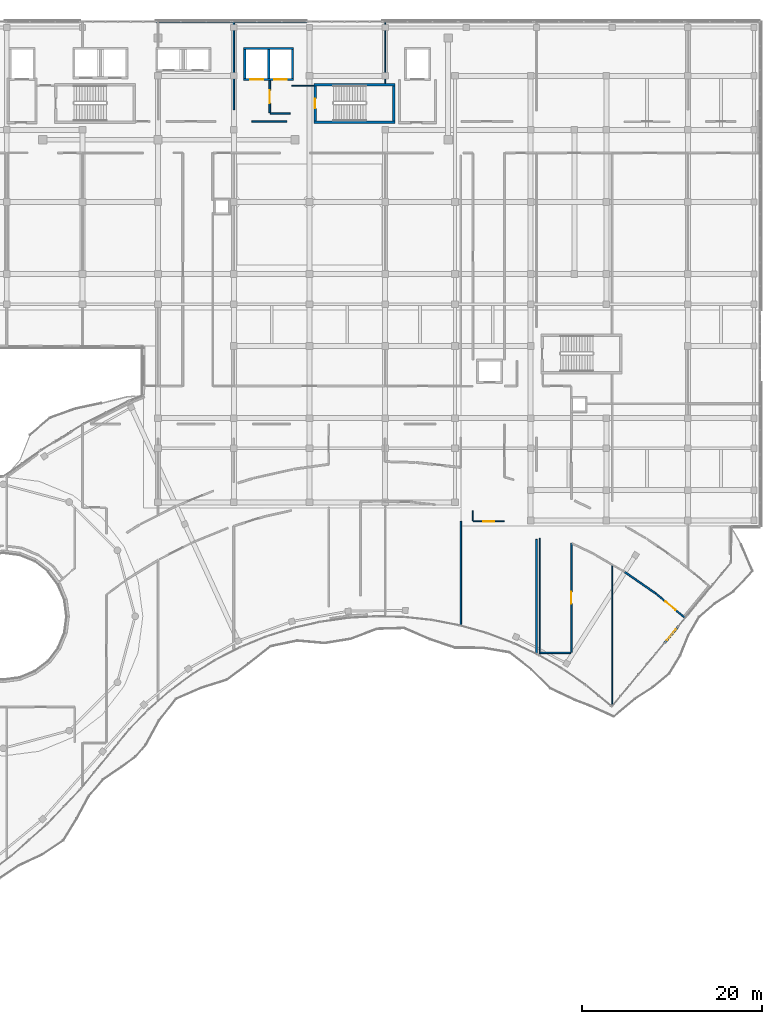
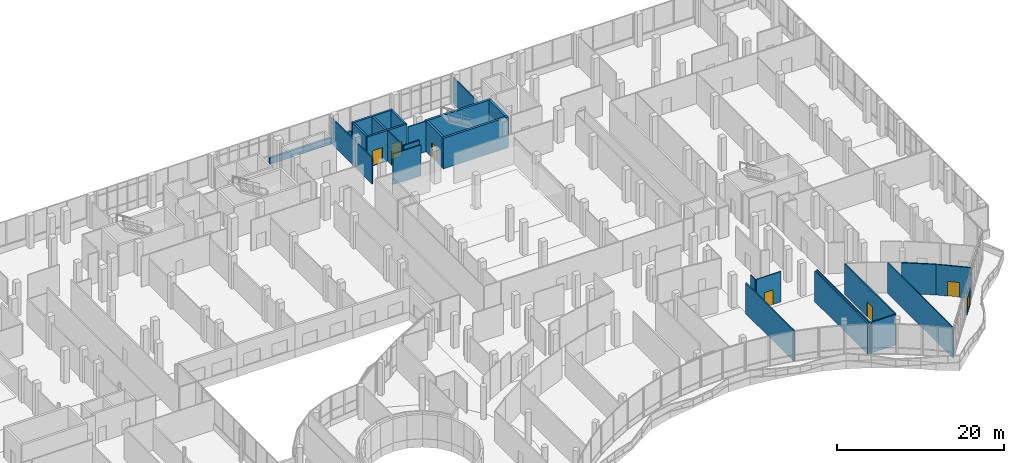
# One storey, part 139 of 155: 28 walls, 8 doors, 8 openings.
"""IFC4 building model written with IfcOpenShell, lengths in metres."""

from ifc_helpers import new_model, si_unit, direction, frame, frame_2d, origin, place, context, subcontext, project, spatial, rectangle, extrude, material, layer, layer_set, type_object, element, fill, save


model = new_model("IFC4")

# Units and contexts
model_context = context("Model", 3, precision=1e-05, world=origin(), true_north=direction((0.0, 1.0)))
body_context = subcontext(model_context, "Body", "Model", "MODEL_VIEW")
ifc_project = project(units=[si_unit("LENGTHUNIT", "METRE"), si_unit("AREAUNIT", "SQUARE_METRE"), si_unit("VOLUMEUNIT", "CUBIC_METRE"), si_unit("PLANEANGLEUNIT", "RADIAN"), si_unit("MASSUNIT", "GRAM", prefix="KILO")], contexts=[model_context])

# Site, building, storey
site_placement = place(None, origin())
site = spatial("IfcSite", under=ifc_project, at=site_placement, CompositionType="ELEMENT")
building_placement = place(site_placement, origin())
building = spatial("IfcBuilding", under=site, at=building_placement, Name="Selatvlak General Hospital", CompositionType="ELEMENT")
storey_placement = place(building_placement, frame((0.0, 0.0, 10.199951171875)))
storey = spatial("IfcBuildingStorey", under=building, at=storey_placement, Name="L02", CompositionType="ELEMENT", Elevation=10.199951171875)

# Walls
ifc_material_1 = material(Name="Precast concrete C40/50 - white Bauhaus spandrel", Category="concrete")
ifc_layer_1 = layer(ifc_material_1, 0.280029296875, Name="Precast concrete C40/50 - white Bauhaus spandrel", Category="concrete")
ifc_layer_set_1 = layer_set([ifc_layer_1], Name="Precast concrete C40/50 - white Bauhaus spandrel")
wall_type_1 = type_object("IfcWallType", Name="WALL-EW-02", PredefinedType="SOLIDWALL", material=ifc_layer_set_1)
for number, where, z_axis, x_axis, name in (
    (1, (114.9609375, 120.0, 0.0), (0.0, 0.0, 1.0), (1.0, 0.0, 0.0), "L02 Bauhaus spandrel sill wall 0300"),
    (2, (123.341064453125, 120.0, 0.0), (0.0, 0.0, 1.0), (1.0, 0.0, 0.0), "L02 Bauhaus spandrel sill wall 0301"),
):
    element("IfcWall", number, at=place(storey_placement, frame(where, z_axis=z_axis, x_axis=x_axis)), inside=storey, type_object=wall_type_1, Name=name, PredefinedType="SOLIDWALL", context=body_context, shape_type="SweptSolid", body=[
        extrude(rectangle(XDim=8.3759765625, YDim=0.280029296875, at=frame_2d((4.18798828125, 0.0))), origin(), (0.0, 0.0, 1.0), 0.93994140625),
    ])

# Wall, opening, door
ifc_material_2 = material(Name="Precast concrete C40/50 - white fair-faced", Category="concrete")
ifc_layer_2 = layer(ifc_material_2, 0.239990234375, Name="Precast concrete C40/50 - white fair-faced", Category="concrete")
ifc_layer_set_2 = layer_set([ifc_layer_2], Name="Precast concrete C40/50 - white fair-faced")
wall_type_2 = type_object("IfcWallType", Name="WALL-EW-04", PredefinedType="SOLIDWALL", material=ifc_layer_set_2)
wall_1_placement = place(storey_placement, frame((172.9150390625, 52.842041015625, 0.0), z_axis=(0.0, 0.0, 1.0), x_axis=(-0.637926137679, -0.770097554123, 0.0)))
wall_1 = element("IfcWall", 3, at=wall_1_placement, inside=storey, type_object=wall_type_2, Name="L02 S-curve glazed balcony door frame 0314", PredefinedType="SOLIDWALL", context=body_context, shape_type="SweptSolid", body=[
    extrude(rectangle(XDim=2.2998046875, YDim=0.239990234375, at=frame_2d((1.14990234375, 0.0))), origin(), (0.0, 0.0, 1.0), 2.320068359375),
])
opening_1_placement = place(wall_1_placement, frame((0.35009765625, 0.0, 0.0)))
opening_1 = element("IfcOpeningElement", 4, at=opening_1_placement, cuts=wall_1, Name="Opening DE-05", PredefinedType="OPENING", context=body_context, shape_type="SweptSolid", body=[
    extrude(rectangle(XDim=1.60009765625, YDim=2.199951171875, at=frame_2d((0.800048828125, 1.10009765625))), frame((0.0, 0.1298828125, 0.0), z_axis=(0.0, -1.0, 0.0), x_axis=(1.0, 0.0, 0.0)), (0.0, 0.0, 1.0), 0.260009765625),
])
ifc_material_3 = material(Name="Anodised aluminium balcony double door", Category="aluminium")
door_type_1 = type_object("IfcDoorType", Name="DOOR-DE-05", OperationType="DOUBLE_DOOR_SINGLE_SWING", PredefinedType="DOOR", material=ifc_material_3)
door_1_placement = place(opening_1_placement, origin())
door_1 = element("IfcDoor", 5, at=door_1_placement, inside=storey, type_object=door_type_1, Name="L02 clinic balcony double door 24", OperationType="DOUBLE_DOOR_SINGLE_SWING", OverallHeight=2.199951171875, OverallWidth=1.60009765625, PredefinedType="DOOR", context=body_context, shape_type="SweptSolid", body=[
    extrude(rectangle(XDim=1.60009765625, YDim=2.199951171875, at=frame_2d((0.800048828125, 1.10009765625))), frame((0.0, 0.02490234375, 0.0), z_axis=(0.0, -1.0, 0.0), x_axis=(1.0, 0.0, 0.0)), (0.0, 0.0, 1.0), 0.050048828125),
])
fill(opening_1, door_1)

# Walls
ifc_material_4 = material(Name="Acoustic gypsum stud partition")
ifc_layer_3 = layer(ifc_material_4, 0.179931640625, Name="Acoustic gypsum stud partition")
ifc_layer_set_3 = layer_set([ifc_layer_3], Name="Acoustic gypsum stud partition")
wall_type_3 = type_object("IfcWallType", Name="WALL-PT-01", PredefinedType="PARTITIONING", material=ifc_layer_set_3)
wall_2_placement = place(storey_placement, frame((148.800048828125, 64.5380859375, 0.0), z_axis=(0.0, 0.0, 1.0), x_axis=(0.0, -1.0, 0.0)))
element("IfcWall", 6, at=wall_2_placement, inside=storey, type_object=wall_type_3, Name="L02 clinical partition PT-L02-1212", PredefinedType="PARTITIONING", context=body_context, shape_type="SweptSolid", body=[
    extrude(rectangle(XDim=11.5771484375, YDim=0.179931640625, at=frame_2d((5.78857421875, 0.0))), origin(), (0.0, 0.0, 1.0), 4.4599609375),
])
wall_3_placement = place(storey_placement, frame((157.199951171875, 62.5380859375, 0.0), z_axis=(0.0, 0.0, 1.0), x_axis=(0.0, -1.0, 0.0)))
element("IfcWall", 7, at=wall_3_placement, inside=storey, type_object=wall_type_3, Name="L02 clinical partition PT-L02-1220", PredefinedType="PARTITIONING", context=body_context, shape_type="SweptSolid", body=[
    extrude(rectangle(XDim=12.715087890625, YDim=0.179931640625, at=frame_2d((6.357421875, 0.0))), origin(), (0.0, 0.0, 1.0), 4.4599609375),
])
wall_4_placement = place(storey_placement, frame((157.595947265625, 49.93994140625, 0.0), z_axis=(0.0, 0.0, 1.0), x_axis=(1.0, 0.0, 0.0)))
element("IfcWall", 8, at=wall_4_placement, inside=storey, type_object=wall_type_3, Name="L02 clinical partition PT-L02-1225", PredefinedType="PARTITIONING", context=body_context, shape_type="SweptSolid", body=[
    extrude(rectangle(XDim=3.404052734375, YDim=0.179931640625, at=frame_2d((1.7021484375, 0.0))), origin(), (0.0, 0.0, 1.0), 4.4599609375),
])
wall_5_placement = place(storey_placement, frame((167.010009765625, 58.91796875, 0.0), z_axis=(0.0, 0.0, 1.0), x_axis=(0.820562806153, -0.571556367437, 0.0)))
element("IfcWall", 9, at=wall_5_placement, inside=storey, type_object=wall_type_3, Name="L02 clinical partition PT-L02-1235", PredefinedType="PARTITIONING", context=body_context, shape_type="SweptSolid", body=[
    extrude(rectangle(XDim=4.1728515625, YDim=0.179931640625, at=frame_2d((2.08642578125, 0.0))), origin(), (0.0, 0.0, 1.0), 4.4599609375),
])

# Wall, opening, door
wall_6_placement = place(storey_placement, frame((127.590087890625, 113.452880859375, 0.0), z_axis=(0.0, 0.0, 1.0), x_axis=(0.0, -1.0, 0.0)))
wall_6 = element("IfcWall", 10, at=wall_6_placement, inside=storey, type_object=wall_type_3, Name="L02 clinical partition PT-L02-1355", PredefinedType="PARTITIONING", context=body_context, shape_type="SweptSolid", body=[
    extrude(rectangle(XDim=3.552978515625, YDim=0.179931640625, at=frame_2d((1.7763671875, 0.0))), origin(), (0.0, 0.0, 1.0), 4.4599609375),
])
opening_2_placement = place(wall_6_placement, frame((1.051025390625, 0.0, 0.0)))
opening_2 = element("IfcOpeningElement", 11, at=opening_2_placement, cuts=wall_6, Name="Opening D-12", PredefinedType="OPENING", context=body_context, shape_type="SweptSolid", body=[
    extrude(rectangle(XDim=1.449951171875, YDim=2.14990234375, at=frame_2d((0.72509765625, 1.074951171875))), frame((0.0, 0.099853515625, 0.0), z_axis=(0.0, -1.0, 0.0), x_axis=(1.0, 0.0, 0.0)), (0.0, 0.0, 1.0), 0.199951171875),
])
ifc_material_5 = material(Name="Isolation anteroom door")
door_type_2 = type_object("IfcDoorType", Name="DOOR-D-12", OperationType="NOTDEFINED", PredefinedType="DOOR", material=ifc_material_5)
door_2_placement = place(opening_2_placement, origin())
door_2 = element("IfcDoor", 12, at=door_2_placement, inside=storey, type_object=door_type_2, Name="L02 Cardiac Catheterisation Lab 73 door", OperationType="SINGLE_SWING_LEFT", OverallHeight=2.14990234375, OverallWidth=1.449951171875, PredefinedType="DOOR", context=body_context, shape_type="SweptSolid", body=[
    extrude(rectangle(XDim=1.449951171875, YDim=2.14990234375, at=frame_2d((0.72509765625, 1.074951171875))), frame((0.0, 0.02490234375, 0.0), z_axis=(0.0, -1.0, 0.0), x_axis=(1.0, 0.0, 0.0)), (0.0, 0.0, 1.0), 0.050048828125),
])
fill(opening_2, door_2)

ifc_layer_4 = layer(ifc_material_4, 0.1650390625, Name="Acoustic gypsum stud partition")
ifc_layer_set_4 = layer_set([ifc_layer_4], Name="Acoustic gypsum stud partition")
wall_type_4 = type_object("IfcWallType", Name="WALL-PT-02", PredefinedType="PARTITIONING", material=ifc_layer_set_4)
wall_7_placement = place(storey_placement, frame((161.06005859375, 50.0, 0.0), z_axis=(0.0, 0.0, 1.0), x_axis=(0.0, 1.0, 0.0)))
wall_7 = element("IfcWall", 13, at=wall_7_placement, inside=storey, type_object=wall_type_4, Name="L02 clinical partition PT-L02-1226", PredefinedType="PARTITIONING", context=body_context, shape_type="SweptSolid", body=[
    extrude(rectangle(XDim=12.12109375, YDim=0.1650390625, at=frame_2d((6.060546875, 0.0))), origin(), (0.0, 0.0, 1.0), 4.4599609375),
])
opening_3_placement = place(wall_7_placement, frame((5.385986328125, 0.0, 0.0)))
opening_3 = element("IfcOpeningElement", 14, at=opening_3_placement, cuts=wall_7, Name="Opening D-10", PredefinedType="OPENING", context=body_context, shape_type="SweptSolid", body=[
    extrude(rectangle(XDim=1.35009765625, YDim=2.14990234375, at=frame_2d((0.675048828125, 1.074951171875))), frame((0.0, 0.092529296875, 0.0), z_axis=(0.0, -1.0, 0.0), x_axis=(1.0, 0.0, 0.0)), (0.0, 0.0, 1.0), 0.18505859375),
])
ifc_material_6 = material(Name="Single patient bed door")
door_type_3 = type_object("IfcDoorType", Name="DOOR-D-10", OperationType="NOTDEFINED", PredefinedType="DOOR", material=ifc_material_6)
door_3_placement = place(opening_3_placement, origin())
door_3 = element("IfcDoor", 15, at=door_3_placement, inside=storey, type_object=door_type_3, Name="L02 Sports Medicine Clinic 36 door", OperationType="SINGLE_SWING_LEFT", OverallHeight=2.14990234375, OverallWidth=1.35009765625, PredefinedType="DOOR", context=body_context, shape_type="SweptSolid", body=[
    extrude(rectangle(XDim=1.35009765625, YDim=2.14990234375, at=frame_2d((0.675048828125, 1.074951171875))), frame((0.0, 0.02490234375, 0.0), z_axis=(0.0, -1.0, 0.0), x_axis=(1.0, 0.0, 0.0)), (0.0, 0.0, 1.0), 0.050048828125),
])
fill(opening_3, door_3)

wall_8_placement = place(storey_placement, frame((170.43408203125, 56.532958984375, 0.0), z_axis=(0.0, 0.0, 1.0), x_axis=(0.770184287696, -0.637821419353, 0.0)))
wall_8 = element("IfcWall", 16, at=wall_8_placement, inside=storey, type_object=wall_type_4, Name="L02 clinical partition PT-L02-1236", PredefinedType="PARTITIONING", context=body_context, shape_type="SweptSolid", body=[
    extrude(rectangle(XDim=4.25341796875, YDim=0.1650390625, at=frame_2d((2.126708984375, 0.0))), origin(), (0.0, 0.0, 1.0), 4.4599609375),
])
opening_4_placement = place(wall_8_placement, frame((1.402099609375, 0.0, 0.0)))
opening_4 = element("IfcOpeningElement", 17, at=opening_4_placement, cuts=wall_8, Name="Opening D-12", PredefinedType="OPENING", context=body_context, shape_type="SweptSolid", body=[
    extrude(rectangle(XDim=1.449951171875, YDim=2.14990234375, at=frame_2d((0.72509765625, 1.074951171875))), frame((0.0, 0.092529296875, 0.0), z_axis=(0.0, -1.0, 0.0), x_axis=(1.0, 0.0, 0.0)), (0.0, 0.0, 1.0), 0.18505859375),
])
door_4_placement = place(opening_4_placement, origin())
door_4 = element("IfcDoor", 18, at=door_4_placement, inside=storey, type_object=door_type_2, Name="L02 Occupational Therapy Suite 38 door", OperationType="SINGLE_SWING_LEFT", OverallHeight=2.14990234375, OverallWidth=1.449951171875, PredefinedType="DOOR", context=body_context, shape_type="SweptSolid", body=[
    extrude(rectangle(XDim=1.449951171875, YDim=2.14990234375, at=frame_2d((0.72509765625, 1.074951171875))), frame((0.0, 0.02490234375, 0.0), z_axis=(0.0, -1.0, 0.0), x_axis=(1.0, 0.0, 0.0)), (0.0, 0.0, 1.0), 0.050048828125),
])
fill(opening_4, door_4)

# Walls
wall_9_placement = place(storey_placement, frame((123.60009765625, 119.9580078125, 0.0), z_axis=(0.0, 0.0, 1.0), x_axis=(0.0, -1.0, 0.0)))
element("IfcWall", 19, at=wall_9_placement, inside=storey, type_object=wall_type_4, Name="L02 clinical partition PT-L02-1351", PredefinedType="PARTITIONING", context=body_context, shape_type="SweptSolid", body=[
    extrude(rectangle(XDim=9.748046875, YDim=0.1650390625, at=frame_2d((4.8740234375, 0.0))), origin(), (0.0, 0.0, 1.0), 3.81005859375),
])
wall_10_placement = place(storey_placement, frame((127.64990234375, 109.840087890625, 0.0), z_axis=(0.0, 0.0, 1.0), x_axis=(1.0, 0.0, 0.0)))
element("IfcWall", 20, at=wall_10_placement, inside=storey, type_object=wall_type_4, Name="L02 clinical partition PT-L02-1356", PredefinedType="PARTITIONING", context=body_context, shape_type="SweptSolid", body=[
    extrude(rectangle(XDim=2.190185546875, YDim=0.1650390625, at=frame_2d((1.09521484375, 0.0))), origin(), (0.0, 0.0, 1.0), 4.4599609375),
])
ifc_layer_5 = layer(ifc_material_4, 0.14990234375, Name="Acoustic gypsum stud partition")
ifc_layer_set_5 = layer_set([ifc_layer_5], Name="Acoustic gypsum stud partition")
wall_type_5 = type_object("IfcWallType", Name="WALL-PT-03", PredefinedType="PARTITIONING", material=ifc_layer_set_5)
wall_11_placement = place(storey_placement, frame((129.487060546875, 108.909912109375, 0.0), z_axis=(0.0, 0.0, 1.0), x_axis=(-1.0, 0.0, 0.0)))
element("IfcWall", 21, at=wall_11_placement, inside=storey, type_object=wall_type_5, Name="L02 clinical partition PT-L02-1357", PredefinedType="PARTITIONING", context=body_context, shape_type="SweptSolid", body=[
    extrude(rectangle(XDim=3.8759765625, YDim=0.14990234375, at=frame_2d((1.93798828125, 0.0))), origin(), (0.0, 0.0, 1.0), 4.4599609375),
])
ifc_material_7 = material(Name="Moisture-resistant clinical partition")
ifc_layer_6 = layer(ifc_material_7, 0.135009765625, Name="Moisture-resistant clinical partition")
ifc_layer_set_6 = layer_set([ifc_layer_6], Name="Moisture-resistant clinical partition")
wall_type_6 = type_object("IfcWallType", Name="WALL-PT-04", PredefinedType="PARTITIONING", material=ifc_layer_set_6)
wall_12_placement = place(storey_placement, frame((150.139892578125, 65.695068359375, 0.0), z_axis=(0.0, 0.0, 1.0), x_axis=(0.0, -1.0, 0.0)))
element("IfcWall", 22, at=wall_12_placement, inside=storey, type_object=wall_type_6, Name="L02 clinical partition PT-L02-1218", PredefinedType="PARTITIONING", context=body_context, shape_type="SweptSolid", body=[
    extrude(rectangle(XDim=1.094970703125, YDim=0.135009765625, at=frame_2d((0.54736328125, 0.0))), origin(), (0.0, 0.0, 1.0), 4.4599609375),
])
wall_13_placement = place(storey_placement, frame((140.39990234375, 119.9580078125, 0.0), z_axis=(0.0, 0.0, 1.0), x_axis=(0.0, -1.0, 0.0)))
element("IfcWall", 23, at=wall_13_placement, inside=storey, type_object=wall_type_6, Name="L02 clinical partition PT-L02-1353", PredefinedType="PARTITIONING", context=body_context, shape_type="SweptSolid", body=[
    extrude(rectangle(XDim=6.81103515625, YDim=0.135009765625, at=frame_2d((3.405517578125, 0.0))), origin(), (0.0, 0.0, 1.0), 3.81005859375),
])

# Wall, opening, door
ifc_layer_7 = layer(ifc_material_7, 0.1201171875, Name="Moisture-resistant clinical partition")
ifc_layer_set_7 = layer_set([ifc_layer_7], Name="Moisture-resistant clinical partition")
wall_type_7 = type_object("IfcWallType", Name="WALL-PT-05", PredefinedType="PARTITIONING", material=ifc_layer_set_7)
wall_14_placement = place(storey_placement, frame((150.199951171875, 64.5400390625, 0.0), z_axis=(0.0, 0.0, 1.0), x_axis=(1.0, 0.0, 0.0)))
wall_14 = element("IfcWall", 24, at=wall_14_placement, inside=storey, type_object=wall_type_7, Name="L02 clinical partition PT-L02-1219", PredefinedType="PARTITIONING", context=body_context, shape_type="SweptSolid", body=[
    extrude(rectangle(XDim=3.400146484375, YDim=0.1201171875, at=frame_2d((1.7001953125, 0.0))), origin(), (0.0, 0.0, 1.0), 4.4599609375),
])
opening_5_placement = place(wall_14_placement, frame((1.10009765625, 0.0, 0.0)))
opening_5 = element("IfcOpeningElement", 25, at=opening_5_placement, cuts=wall_14, Name="Opening D-23", PredefinedType="OPENING", context=body_context, shape_type="SweptSolid", body=[
    extrude(rectangle(XDim=1.199951171875, YDim=2.14990234375, at=frame_2d((0.60009765625, 1.074951171875))), frame((0.0, 0.070068359375, 0.0), z_axis=(0.0, -1.0, 0.0), x_axis=(1.0, 0.0, 0.0)), (0.0, 0.0, 1.0), 0.14013671875),
])
ifc_material_8 = material(Name="Endoscopy clinical door")
door_type_4 = type_object("IfcDoorType", Name="DOOR-D-23", OperationType="NOTDEFINED", PredefinedType="DOOR", material=ifc_material_8)
door_5_placement = place(opening_5_placement, origin())
door_5 = element("IfcDoor", 26, at=door_5_placement, inside=storey, type_object=door_type_4, Name="L02 Physiotherapy Rehabilitation Gymnasium 34 door", OperationType="SINGLE_SWING_LEFT", OverallHeight=2.14990234375, OverallWidth=1.199951171875, PredefinedType="DOOR", context=body_context, shape_type="SweptSolid", body=[
    extrude(rectangle(XDim=1.199951171875, YDim=2.14990234375, at=frame_2d((0.60009765625, 1.074951171875))), frame((0.0, 0.02490234375, 0.0), z_axis=(0.0, -1.0, 0.0), x_axis=(1.0, 0.0, 0.0)), (0.0, 0.0, 1.0), 0.050048828125),
])
fill(opening_5, door_5)

# Walls
wall_15_placement = place(storey_placement, frame((157.5400390625, 62.676025390625, 0.0), z_axis=(0.0, 0.0, 1.0), x_axis=(0.0, -1.0, 0.0)))
element("IfcWall", 27, at=wall_15_placement, inside=storey, type_object=wall_type_7, Name="L02 clinical partition PT-L02-1224", PredefinedType="PARTITIONING", context=body_context, shape_type="SweptSolid", body=[
    extrude(rectangle(XDim=13.02294921875, YDim=0.1201171875, at=frame_2d((6.511474609375, 0.0))), origin(), (0.0, 0.0, 1.0), 4.4599609375),
])
wall_16_placement = place(storey_placement, frame((165.60009765625, 59.736083984375, 0.0), z_axis=(0.0, 0.0, 1.0), x_axis=(0.0, -1.0, 0.0)))
element("IfcWall", 28, at=wall_16_placement, inside=storey, type_object=wall_type_7, Name="L02 clinical partition PT-L02-1229", PredefinedType="PARTITIONING", context=body_context, shape_type="SweptSolid", body=[
    extrude(rectangle(XDim=15.710205078125, YDim=0.1201171875, at=frame_2d((7.85498046875, 0.0))), origin(), (0.0, 0.0, 1.0), 4.4599609375),
])
wall_17_placement = place(storey_placement, frame((132.489990234375, 112.89990234375, 0.0), z_axis=(0.0, 0.0, 1.0), x_axis=(-1.0, 0.0, 0.0)))
element("IfcWall", 29, at=wall_17_placement, inside=storey, type_object=wall_type_7, Name="L02 clinical partition PT-L02-1354", PredefinedType="PARTITIONING", context=body_context, shape_type="SweptSolid", body=[
    extrude(rectangle(XDim=2.47998046875, YDim=0.1201171875, at=frame_2d((1.239990234375, 0.0))), origin(), (0.0, 0.0, 1.0), 4.4599609375),
])
ifc_material_9 = material(Name="Concrete C45/55", Category="concrete")
ifc_layer_8 = layer(ifc_material_9, 0.300048828125, Name="Concrete C45/55", Category="concrete")
ifc_layer_set_8 = layer_set([ifc_layer_8], Name="Concrete C45/55")
wall_type_8 = type_object("IfcWallType", Name="WALL-SW-02", PredefinedType="SHEAR", material=ifc_layer_set_8)
wall_18_placement = place(storey_placement, frame((132.489990234375, 108.840087890625, 0.0), z_axis=(0.0, 0.0, 1.0), x_axis=(1.0, 0.0, 0.0)))
element("IfcWall", 30, at=wall_18_placement, inside=storey, type_object=wall_type_8, Name="ST-04 core shear wall L02 S", PredefinedType="SHEAR", context=body_context, shape_type="SweptSolid", body=[
    extrude(rectangle(XDim=9.02001953125, YDim=0.300048828125, at=frame_2d((4.510009765625, 0.0))), origin(), (0.0, 0.0, 1.0), 4.4599609375),
])
wall_19_placement = place(storey_placement, frame((141.360107421875, 108.989990234375, 0.0), z_axis=(0.0, 0.0, 1.0), x_axis=(0.0, 1.0, 0.0)))
element("IfcWall", 31, at=wall_19_placement, inside=storey, type_object=wall_type_8, Name="ST-04 core shear wall L02 E", PredefinedType="SHEAR", context=body_context, shape_type="SweptSolid", body=[
    extrude(rectangle(XDim=3.860107421875, YDim=0.300048828125, at=frame_2d((1.93017578125, 0.0))), origin(), (0.0, 0.0, 1.0), 4.4599609375),
])
wall_20_placement = place(storey_placement, frame((141.510009765625, 113.0, 0.0), z_axis=(0.0, 0.0, 1.0), x_axis=(-1.0, 0.0, 0.0)))
element("IfcWall", 32, at=wall_20_placement, inside=storey, type_object=wall_type_8, Name="ST-04 core shear wall L02 N", PredefinedType="SHEAR", context=body_context, shape_type="SweptSolid", body=[
    extrude(rectangle(XDim=9.02001953125, YDim=0.300048828125, at=frame_2d((4.510009765625, 0.0))), origin(), (0.0, 0.0, 1.0), 4.4599609375),
])

# Wall, opening, door
wall_21_placement = place(storey_placement, frame((132.639892578125, 112.85009765625, 0.0), z_axis=(0.0, 0.0, 1.0), x_axis=(0.0, -1.0, 0.0)))
wall_21 = element("IfcWall", 33, at=wall_21_placement, inside=storey, type_object=wall_type_8, Name="ST-04 core shear wall L02 W", PredefinedType="SHEAR", context=body_context, shape_type="SweptSolid", body=[
    extrude(rectangle(XDim=3.860107421875, YDim=0.300048828125, at=frame_2d((1.93017578125, 0.0))), origin(), (0.0, 0.0, 1.0), 4.4599609375),
])
opening_6_placement = place(wall_21_placement, frame((1.3798828125, 0.0, 0.0)))
opening_6 = element("IfcOpeningElement", 34, at=opening_6_placement, cuts=wall_21, Name="Opening D-05", PredefinedType="OPENING", context=body_context, shape_type="SweptSolid", body=[
    extrude(rectangle(XDim=1.10009765625, YDim=2.14990234375, at=frame_2d((0.550048828125, 1.074951171875))), frame((0.0, 0.159912109375, 0.0), z_axis=(0.0, -1.0, 0.0), x_axis=(1.0, 0.0, 0.0)), (0.0, 0.0, 1.0), 0.320068359375),
])
ifc_material_10 = material(Name="Protected stair fire door")
door_type_5 = type_object("IfcDoorType", Name="DOOR-D-05", OperationType="NOTDEFINED", PredefinedType="DOOR", material=ifc_material_10)
door_6_placement = place(opening_6_placement, origin())
door_6 = element("IfcDoor", 35, at=door_6_placement, inside=storey, type_object=door_type_5, Name="ST-04 protected stair door on L02", OperationType="SINGLE_SWING_LEFT", OverallHeight=2.14990234375, OverallWidth=1.10009765625, PredefinedType="DOOR", context=body_context, shape_type="SweptSolid", body=[
    extrude(rectangle(XDim=1.10009765625, YDim=2.14990234375, at=frame_2d((0.550048828125, 1.074951171875))), frame((0.0, 0.02490234375, 0.0), z_axis=(0.0, -1.0, 0.0), x_axis=(1.0, 0.0, 0.0)), (0.0, 0.0, 1.0), 0.050048828125),
])
fill(opening_6, door_6)

# Wall, openings, doors
ifc_material_11 = material(Name="Concrete C40/50", Category="concrete")
ifc_layer_9 = layer(ifc_material_11, 0.25, Name="Concrete C40/50", Category="concrete")
ifc_layer_set_9 = layer_set([ifc_layer_9], Name="Concrete C40/50")
wall_type_9 = type_object("IfcWallType", Name="WALL-SW-03", PredefinedType="SHEAR", material=ifc_layer_set_9)
wall_22_placement = place(storey_placement, frame((124.699951171875, 113.574951171875, 0.0), z_axis=(0.0, 0.0, 1.0), x_axis=(1.0, 0.0, 0.0)))
wall_22 = element("IfcWall", 36, at=wall_22_placement, inside=storey, type_object=wall_type_9, Name="Lift LB-03-LB-04 shaft wall L02 S", PredefinedType="SHEAR", context=body_context, shape_type="SweptSolid", body=[
    extrude(rectangle(XDim=5.550048828125, YDim=0.25, at=frame_2d((2.77490234375, 0.0))), origin(), (0.0, 0.0, 1.0), 4.4599609375),
])
opening_7_placement = place(wall_22_placement, frame((0.75, 0.0, 0.0)))
opening_7 = element("IfcOpeningElement", 37, at=opening_7_placement, cuts=wall_22, Name="Opening LD-B1", PredefinedType="OPENING", context=body_context, shape_type="SweptSolid", body=[
    extrude(rectangle(XDim=1.39990234375, YDim=2.199951171875, at=frame_2d((0.699951171875, 1.10009765625))), frame((0.0, 0.135009765625, 0.0), z_axis=(0.0, -1.0, 0.0), x_axis=(1.0, 0.0, 0.0)), (0.0, 0.0, 1.0), 0.27001953125),
])
opening_8_placement = place(wall_22_placement, frame((3.39990234375, 0.0, 0.0)))
opening_8 = element("IfcOpeningElement", 38, at=opening_8_placement, cuts=wall_22, Name="Opening LD-B1", PredefinedType="OPENING", context=body_context, shape_type="SweptSolid", body=[
    extrude(rectangle(XDim=1.39990234375, YDim=2.199951171875, at=frame_2d((0.699951171875, 1.10009765625))), frame((0.0, 0.135009765625, 0.0), z_axis=(0.0, -1.0, 0.0), x_axis=(1.0, 0.0, 0.0)), (0.0, 0.0, 1.0), 0.27001953125),
])
ifc_material_12 = material(Name="Stainless steel stretcher lift landing door", Category="steel")
door_type_6 = type_object("IfcDoorType", Name="DOOR-LD-B1", OperationType="DOUBLE_DOOR_SLIDING", PredefinedType="DOOR", material=ifc_material_12)
door_7_placement = place(opening_7_placement, origin())
door_7 = element("IfcDoor", 39, at=door_7_placement, inside=storey, type_object=door_type_6, Name="Lift LB-03 sliding landing door on L02", OperationType="DOUBLE_DOOR_SLIDING", OverallHeight=2.199951171875, OverallWidth=1.39990234375, PredefinedType="DOOR", context=body_context, shape_type="SweptSolid", body=[
    extrude(rectangle(XDim=1.39990234375, YDim=2.199951171875, at=frame_2d((0.699951171875, 1.10009765625))), frame((0.0, 0.02490234375, 0.0), z_axis=(0.0, -1.0, 0.0), x_axis=(1.0, 0.0, 0.0)), (0.0, 0.0, 1.0), 0.050048828125),
])
fill(opening_7, door_7)
door_8_placement = place(opening_8_placement, origin())
door_8 = element("IfcDoor", 40, at=door_8_placement, inside=storey, type_object=door_type_6, Name="Lift LB-04 sliding landing door on L02", OperationType="DOUBLE_DOOR_SLIDING", OverallHeight=2.199951171875, OverallWidth=1.39990234375, PredefinedType="DOOR", context=body_context, shape_type="SweptSolid", body=[
    extrude(rectangle(XDim=1.39990234375, YDim=2.199951171875, at=frame_2d((0.699951171875, 1.10009765625))), frame((0.0, 0.02490234375, 0.0), z_axis=(0.0, -1.0, 0.0), x_axis=(1.0, 0.0, 0.0)), (0.0, 0.0, 1.0), 0.050048828125),
])
fill(opening_8, door_8)

# Walls
wall_23_placement = place(storey_placement, frame((130.125, 113.699951171875, 0.0), z_axis=(0.0, 0.0, 1.0), x_axis=(0.0, 1.0, 0.0)))
element("IfcWall", 41, at=wall_23_placement, inside=storey, type_object=wall_type_9, Name="Lift LB-03-LB-04 shaft wall L02 E", PredefinedType="SHEAR", context=body_context, shape_type="SweptSolid", body=[
    extrude(rectangle(XDim=3.199951171875, YDim=0.25, at=frame_2d((1.60009765625, 0.0))), origin(), (0.0, 0.0, 1.0), 4.4599609375),
])
wall_24_placement = place(storey_placement, frame((130.25, 117.02490234375, 0.0), z_axis=(0.0, 0.0, 1.0), x_axis=(-1.0, 0.0, 0.0)))
element("IfcWall", 42, at=wall_24_placement, inside=storey, type_object=wall_type_9, Name="Lift LB-03-LB-04 shaft wall L02 N", PredefinedType="SHEAR", context=body_context, shape_type="SweptSolid", body=[
    extrude(rectangle(XDim=5.550048828125, YDim=0.25, at=frame_2d((2.77490234375, 0.0))), origin(), (0.0, 0.0, 1.0), 4.4599609375),
])
for number, where, z_axis, x_axis, name in (
    (43, (124.824951171875, 116.89990234375, 0.0), (0.0, 0.0, 1.0), (0.0, -1.0, 0.0), "Lift LB-03-LB-04 shaft wall L02 W"),
    (44, (127.47509765625, 113.699951171875, 0.0), (0.0, 0.0, 1.0), (0.0, 1.0, 0.0), "Lift LB-03-LB-04 dividing shaft wall L02"),
):
    element("IfcWall", number, at=place(storey_placement, frame(where, z_axis=z_axis, x_axis=x_axis)), inside=storey, type_object=wall_type_9, Name=name, PredefinedType="SHEAR", context=body_context, shape_type="SweptSolid", body=[
        extrude(rectangle(XDim=3.199951171875, YDim=0.25, at=frame_2d((1.60009765625, 0.0))), origin(), (0.0, 0.0, 1.0), 4.4599609375),
    ])

save(model, "model.ifc")
